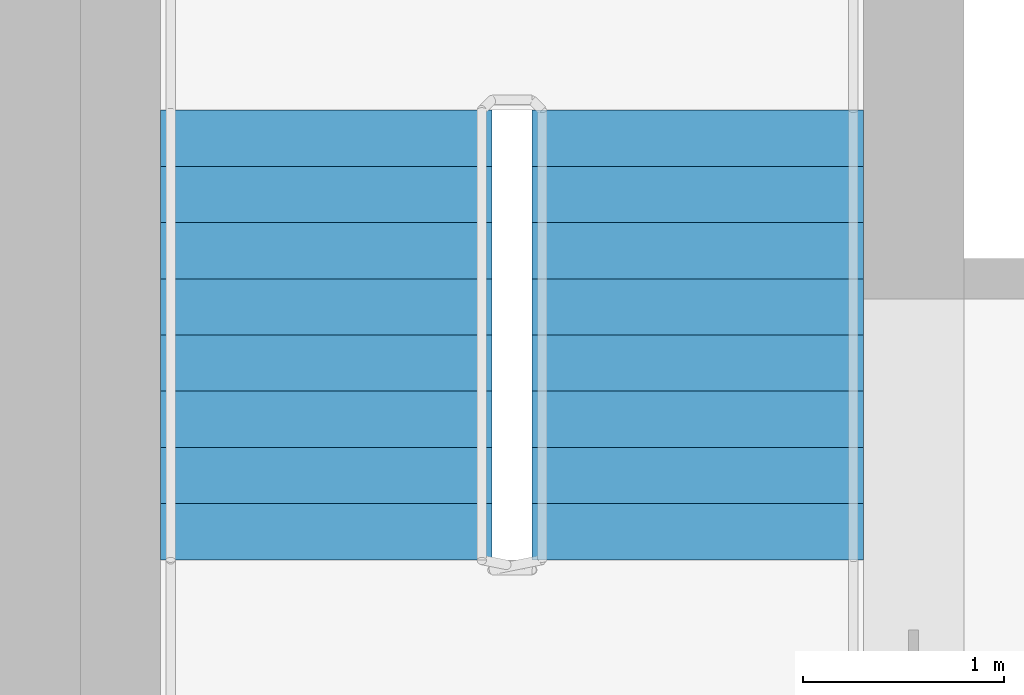
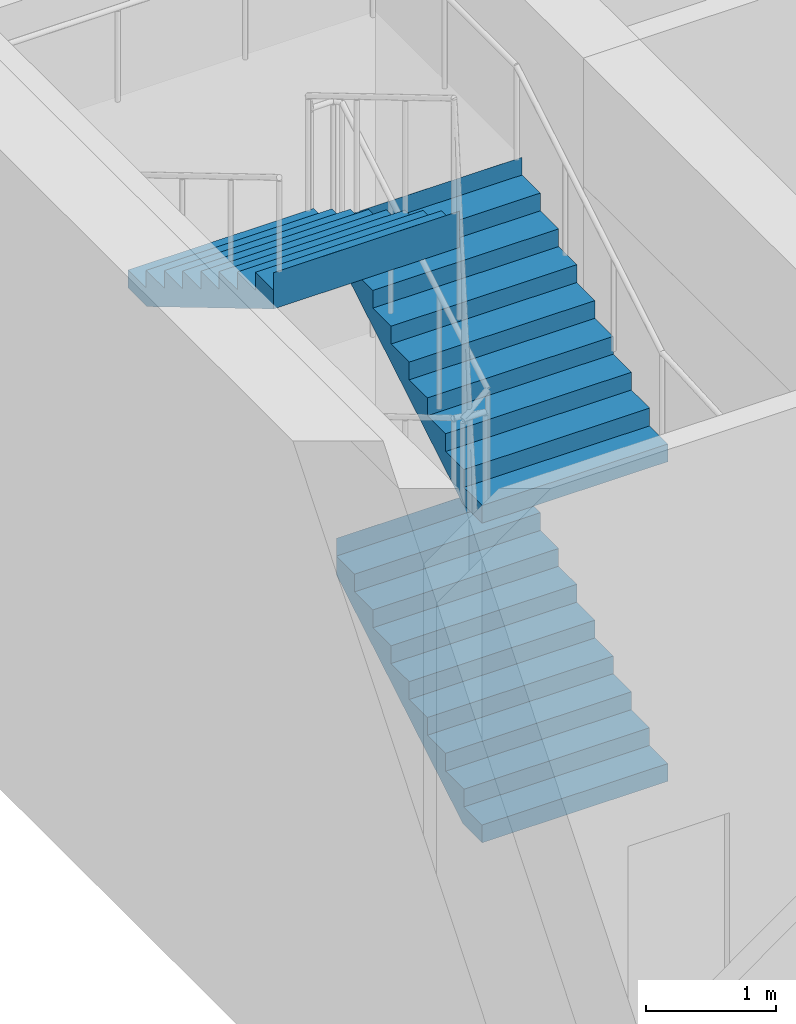
# One storey, part 13 of 15: 3 stair flights, 1 element without a shape of its own.
"""IFC4 building model written with IfcOpenShell, lengths in metres."""

from ifc_helpers import new_model, si_unit, direction, frame, origin, place, context, subcontext, project, spatial, polyline, outline, extrude, material, type_object, element, aggregate, save


model = new_model("IFC4")

# Units and contexts
model_context = context("Model", 3, precision=1e-05, world=origin(), true_north=direction((0.0, 1.0)))
body_context = subcontext(model_context, "Body", "Model", "MODEL_VIEW")
ifc_project = project(units=[si_unit("LENGTHUNIT", "METRE"), si_unit("AREAUNIT", "SQUARE_METRE"), si_unit("VOLUMEUNIT", "CUBIC_METRE"), si_unit("PLANEANGLEUNIT", "RADIAN"), si_unit("MASSUNIT", "GRAM", prefix="KILO")], contexts=[model_context])

# Site, building, storey
site_placement = place(None, origin())
site = spatial("IfcSite", under=ifc_project, at=site_placement, CompositionType="ELEMENT")
building_placement = place(site_placement, origin())
building = spatial("IfcBuilding", under=site, at=building_placement, Name="Tamorin Gate", CompositionType="ELEMENT")
storey_placement = place(building_placement, frame((0.0, 0.0, 302.699951171875)))
storey = spatial("IfcBuildingStorey", under=building, at=storey_placement, Name="L75", CompositionType="ELEMENT", Elevation=302.699951171875)

# Stair, stair flights
ifc_material = material(Name="Concrete C40/50", Category="concrete")
stair_type = type_object("IfcStairType", Name="Exit stair", PredefinedType="HALF_TURN_STAIR", material=ifc_material)
stair_placement = place(storey_placement, origin())
stair = element("IfcStair", 1, at=stair_placement, inside=storey, type_object=stair_type, Name="L75 stair ST2", PredefinedType="HALF_TURN_STAIR")
stair_flight_type = type_object("IfcStairFlightType", Name="Exit stair flight", PredefinedType="STRAIGHT", material=ifc_material)
stair_flight_1_placement = place(storey_placement, frame((33.675048828125, 77.0, 0.0), z_axis=(0.0, 0.0, 1.0), x_axis=(0.0, 1.0, 0.0)))
stair_flight_1 = element("IfcStairFlight", 2, at=stair_flight_1_placement, type_object=stair_flight_type, Name="ST2 flight 1", NumberOfRisers=9, NumberOfTreads=8, PredefinedType="STRAIGHT", RiserHeight=0.166666667, TreadLength=0.28, context=body_context, shape_type="SweptSolid", body=[
    extrude(outline(polyline([(-0.00048828125, 0.0), (-0.00048828125, 0.001708984375), (-0.00048828125, 0.00341796875), (-0.00048828125, 0.0048828125), (-0.00048828125, 0.006591796875), (-0.00048828125, 0.00830078125), (-0.00048828125, 0.010009765625), (-0.00048828125, 0.011474609375), (-0.00048828125, 0.01318359375), (-0.00048828125, 0.014892578125), (-0.00048828125, 0.0166015625), (-0.00048828125, 0.01806640625), (-0.00048828125, 0.019775390625), (-0.00048828125, 0.021484375), (-0.00048828125, 0.023193359375), (-0.00048828125, 0.024658203125), (-0.00048828125, 0.0263671875), (-0.00048828125, 0.028076171875), (-0.00048828125, 0.02978515625), (-0.00048828125, 0.03125), (-0.00048828125, 0.032958984375), (-0.00048828125, 0.03466796875), (-0.00048828125, 0.036376953125), (-0.00048828125, 0.037841796875), (-0.00048828125, 0.03955078125), (-0.00048828125, 0.041259765625), (-0.00048828125, 0.04296875), (-0.00048828125, 0.04443359375), (-0.00048828125, 0.046142578125), (-0.00048828125, 0.0478515625), (-0.00048828125, 0.049560546875), (-0.00048828125, 0.05126953125), (-0.00048828125, 0.052734375), (-0.00048828125, 0.054443359375), (-0.00048828125, 0.05615234375), (-0.00048828125, 0.057861328125), (-0.00048828125, 0.059326171875), (-0.00048828125, 0.06103515625), (-0.00048828125, 0.062744140625), (-0.00048828125, 0.064453125), (-0.00048828125, 0.06591796875), (-0.00048828125, 0.067626953125), (-0.00048828125, 0.0693359375), (-0.00048828125, 0.071044921875), (-0.00048828125, 0.072509765625), (-0.00048828125, 0.07421875), (-0.00048828125, 0.075927734375), (-0.00048828125, 0.07763671875), (-0.00048828125, 0.0791015625), (-0.00048828125, 0.080810546875), (-0.00048828125, 0.08251953125), (-0.00048828125, 0.084228515625), (-0.00048828125, 0.085693359375), (-0.00048828125, 0.08740234375), (-0.00048828125, 0.089111328125), (-0.00048828125, 0.0908203125), (-0.00048828125, 0.092529296875), (-0.00048828125, 0.093994140625), (-0.00048828125, 0.095703125), (-0.00048828125, 0.097412109375), (-0.00048828125, 0.09912109375), (-0.00048828125, 0.1005859375), (-0.00048828125, 0.102294921875), (-0.00048828125, 0.10400390625), (-0.00048828125, 0.105712890625), (-0.00048828125, 0.107177734375), (-0.00048828125, 0.10888671875), (-0.00048828125, 0.110595703125), (-0.00048828125, 0.1123046875), (-0.00048828125, 0.11376953125), (-0.00048828125, 0.115478515625), (-0.00048828125, 0.1171875), (-0.00048828125, 0.118896484375), (-0.00048828125, 0.120361328125), (-0.00048828125, 0.1220703125), (-0.00048828125, 0.123779296875), (-0.00048828125, 0.12548828125), (-0.00048828125, 0.126953125), (-0.00048828125, 0.128662109375), (-0.00048828125, 0.13037109375), (-0.00048828125, 0.132080078125), (-0.00048828125, 0.133544921875), (-0.00048828125, 0.13525390625), (-0.00048828125, 0.136962890625), (-0.00048828125, 0.138671875), (-0.00048828125, 0.140380859375), (-0.00048828125, 0.141845703125), (-0.00048828125, 0.1435546875), (-0.00048828125, 0.145263671875), (-0.00048828125, 0.14697265625), (-0.00048828125, 0.1484375), (-0.00048828125, 0.150146484375), (-0.00048828125, 0.15185546875), (-0.00048828125, 0.153564453125), (-0.00048828125, 0.155029296875), (-0.00048828125, 0.15673828125), (-0.00048828125, 0.158447265625), (-0.00048828125, 0.16015625), (-0.00048828125, 0.16162109375), (-0.00048828125, 0.163330078125), (-0.00048828125, 0.1650390625), (-0.00048828125, 0.166748046875), (0.280029296875, 0.166748046875), (0.280029296875, 0.333251953125), (0.56005859375, 0.333251953125), (0.56005859375, 0.5), (0.840087890625, 0.5), (0.840087890625, 0.666748046875), (1.1201171875, 0.666748046875), (1.1201171875, 0.833251953125), (1.39990234375, 0.833251953125), (1.39990234375, 1.0), (1.679931640625, 1.0), (1.679931640625, 1.166748046875), (1.9599609375, 1.166748046875), (1.9599609375, 1.333251953125), (2.239990234375, 1.333251953125), (2.239990234375, 1.5), (2.240478515625, 1.5), (2.240478515625, 1.49658203125), (2.240478515625, 1.4931640625), (2.240478515625, 1.48974609375), (2.240478515625, 1.486572265625), (2.240478515625, 1.483154296875), (2.240478515625, 1.479736328125), (2.240478515625, 1.476318359375), (2.240478515625, 1.472900390625), (2.240478515625, 1.469482421875), (2.240478515625, 1.46630859375), (2.240478515625, 1.462890625), (2.240478515625, 1.45947265625), (2.240478515625, 1.4560546875), (2.240478515625, 1.45263671875), (2.240478515625, 1.44921875), (2.240478515625, 1.446044921875), (2.240478515625, 1.442626953125), (2.240478515625, 1.439208984375), (2.240478515625, 1.435791015625), (2.240478515625, 1.432373046875), (2.240478515625, 1.428955078125), (2.240478515625, 1.42578125), (2.240478515625, 1.42236328125), (2.240478515625, 1.4189453125), (2.240478515625, 1.41552734375), (2.240478515625, 1.412109375), (2.240478515625, 1.40869140625), (2.240478515625, 1.405517578125), (2.240478515625, 1.402099609375), (2.240478515625, 1.398681640625), (2.240478515625, 1.395263671875), (2.240478515625, 1.391845703125), (2.240478515625, 1.388427734375), (2.240478515625, 1.38525390625), (2.240478515625, 1.3818359375), (2.240478515625, 1.37841796875), (2.240478515625, 1.375), (2.240478515625, 1.37158203125), (2.240478515625, 1.3681640625), (2.240478515625, 1.364990234375), (2.240478515625, 1.361572265625), (2.240478515625, 1.358154296875), (2.240478515625, 1.354736328125), (2.240478515625, 1.351318359375), (2.240478515625, 1.347900390625), (2.240478515625, 1.3447265625), (2.240478515625, 1.34130859375), (2.240478515625, 1.337890625), (2.240478515625, 1.33447265625), (2.240478515625, 1.3310546875), (2.240478515625, 1.32763671875), (2.240478515625, 1.324462890625), (2.240478515625, 1.321044921875), (2.240478515625, 1.317626953125), (2.240478515625, 1.314208984375), (2.240478515625, 1.310791015625), (2.240478515625, 1.307373046875), (2.240478515625, 1.30419921875), (2.240478515625, 1.30078125), (2.240478515625, 1.29736328125), (2.240478515625, 1.2939453125), (2.240478515625, 1.29052734375), (2.240478515625, 1.287109375), (2.240478515625, 1.283935546875), (2.240478515625, 1.280517578125), (2.240478515625, 1.277099609375), (2.240478515625, 1.273681640625), (2.240478515625, 1.270263671875), (2.240478515625, 1.266845703125), (2.240478515625, 1.263671875), (2.240478515625, 1.26025390625), (2.240478515625, 1.2568359375), (2.240478515625, 1.25341796875), (2.240478515625, 1.25), (2.240478515625, 1.24658203125), (2.240478515625, 1.243408203125), (2.240478515625, 1.239990234375), (2.240478515625, 1.236572265625), (2.240478515625, 1.233154296875), (2.240478515625, 1.229736328125), (2.240478515625, 1.226318359375), (2.240478515625, 1.22314453125), (2.240478515625, 1.2197265625), (2.240478515625, 1.21630859375), (2.240478515625, 1.212890625), (2.240478515625, 1.20947265625), (2.240478515625, 1.2060546875), (2.240478515625, 1.202880859375), (2.240478515625, 1.199462890625), (2.240478515625, 1.196044921875), (2.240478515625, 1.192626953125), (2.240478515625, 1.189208984375), (2.240478515625, 1.185791015625), (2.240478515625, 1.1826171875), (2.240478515625, 1.17919921875), (2.240478515625, 1.17578125), (2.240478515625, 1.17236328125), (2.240478515625, 1.1689453125), (2.240478515625, 1.16552734375), (2.240478515625, 1.162353515625), (2.240478515625, 1.158935546875), (2.239990234375, 1.158935546875), (0.29296875, 0.0), (-0.00048828125, 0.0)])), frame((0.0, 0.824951171875, 0.0), z_axis=(0.0, -1.0, 0.0), x_axis=(1.0, 0.0, 0.0)), (0.0, 0.0, 1.0), 1.64990234375),
])
stair_flight_2_placement = place(storey_placement, frame((33.675048828125, 77.0, 3.0), z_axis=(0.0, 0.0, 1.0), x_axis=(0.0, 1.0, 0.0)))
stair_flight_2 = element("IfcStairFlight", 3, at=stair_flight_2_placement, type_object=stair_flight_type, Name="ST2 flight 3", NumberOfRisers=9, NumberOfTreads=8, PredefinedType="STRAIGHT", RiserHeight=0.166666667, TreadLength=0.28, context=body_context, shape_type="SweptSolid", body=[
    extrude(outline(polyline([(-0.00048828125, 0.0), (-0.00048828125, 0.001708984375), (-0.00048828125, 0.00341796875), (-0.00048828125, 0.0048828125), (-0.00048828125, 0.006591796875), (-0.00048828125, 0.00830078125), (-0.00048828125, 0.010009765625), (-0.00048828125, 0.011474609375), (-0.00048828125, 0.01318359375), (-0.00048828125, 0.014892578125), (-0.00048828125, 0.0166015625), (-0.00048828125, 0.01806640625), (-0.00048828125, 0.019775390625), (-0.00048828125, 0.021484375), (-0.00048828125, 0.023193359375), (-0.00048828125, 0.024658203125), (-0.00048828125, 0.0263671875), (-0.00048828125, 0.028076171875), (-0.00048828125, 0.02978515625), (-0.00048828125, 0.03125), (-0.00048828125, 0.032958984375), (-0.00048828125, 0.03466796875), (-0.00048828125, 0.036376953125), (-0.00048828125, 0.037841796875), (-0.00048828125, 0.03955078125), (-0.00048828125, 0.041259765625), (-0.00048828125, 0.04296875), (-0.00048828125, 0.04443359375), (-0.00048828125, 0.046142578125), (-0.00048828125, 0.0478515625), (-0.00048828125, 0.049560546875), (-0.00048828125, 0.05126953125), (-0.00048828125, 0.052734375), (-0.00048828125, 0.054443359375), (-0.00048828125, 0.05615234375), (-0.00048828125, 0.057861328125), (-0.00048828125, 0.059326171875), (-0.00048828125, 0.06103515625), (-0.00048828125, 0.062744140625), (-0.00048828125, 0.064453125), (-0.00048828125, 0.06591796875), (-0.00048828125, 0.067626953125), (-0.00048828125, 0.0693359375), (-0.00048828125, 0.071044921875), (-0.00048828125, 0.072509765625), (-0.00048828125, 0.07421875), (-0.00048828125, 0.075927734375), (-0.00048828125, 0.07763671875), (-0.00048828125, 0.0791015625), (-0.00048828125, 0.080810546875), (-0.00048828125, 0.08251953125), (-0.00048828125, 0.084228515625), (-0.00048828125, 0.085693359375), (-0.00048828125, 0.08740234375), (-0.00048828125, 0.089111328125), (-0.00048828125, 0.0908203125), (-0.00048828125, 0.092529296875), (-0.00048828125, 0.093994140625), (-0.00048828125, 0.095703125), (-0.00048828125, 0.097412109375), (-0.00048828125, 0.09912109375), (-0.00048828125, 0.1005859375), (-0.00048828125, 0.102294921875), (-0.00048828125, 0.10400390625), (-0.00048828125, 0.105712890625), (-0.00048828125, 0.107177734375), (-0.00048828125, 0.10888671875), (-0.00048828125, 0.110595703125), (-0.00048828125, 0.1123046875), (-0.00048828125, 0.11376953125), (-0.00048828125, 0.115478515625), (-0.00048828125, 0.1171875), (-0.00048828125, 0.118896484375), (-0.00048828125, 0.120361328125), (-0.00048828125, 0.1220703125), (-0.00048828125, 0.123779296875), (-0.00048828125, 0.12548828125), (-0.00048828125, 0.126953125), (-0.00048828125, 0.128662109375), (-0.00048828125, 0.13037109375), (-0.00048828125, 0.132080078125), (-0.00048828125, 0.133544921875), (-0.00048828125, 0.13525390625), (-0.00048828125, 0.136962890625), (-0.00048828125, 0.138671875), (-0.00048828125, 0.140380859375), (-0.00048828125, 0.141845703125), (-0.00048828125, 0.1435546875), (-0.00048828125, 0.145263671875), (-0.00048828125, 0.14697265625), (-0.00048828125, 0.1484375), (-0.00048828125, 0.150146484375), (-0.00048828125, 0.15185546875), (-0.00048828125, 0.153564453125), (-0.00048828125, 0.155029296875), (-0.00048828125, 0.15673828125), (-0.00048828125, 0.158447265625), (-0.00048828125, 0.16015625), (-0.00048828125, 0.16162109375), (-0.00048828125, 0.163330078125), (-0.00048828125, 0.1650390625), (-0.00048828125, 0.166748046875), (0.280029296875, 0.166748046875), (0.280029296875, 0.333251953125), (0.56005859375, 0.333251953125), (0.56005859375, 0.5), (0.840087890625, 0.5), (0.840087890625, 0.666748046875), (1.1201171875, 0.666748046875), (1.1201171875, 0.833251953125), (1.39990234375, 0.833251953125), (1.39990234375, 1.0), (1.679931640625, 1.0), (1.679931640625, 1.166748046875), (1.9599609375, 1.166748046875), (1.9599609375, 1.333251953125), (2.239990234375, 1.333251953125), (2.239990234375, 1.5), (2.240478515625, 1.5), (2.240478515625, 1.49658203125), (2.240478515625, 1.4931640625), (2.240478515625, 1.48974609375), (2.240478515625, 1.486572265625), (2.240478515625, 1.483154296875), (2.240478515625, 1.479736328125), (2.240478515625, 1.476318359375), (2.240478515625, 1.472900390625), (2.240478515625, 1.469482421875), (2.240478515625, 1.46630859375), (2.240478515625, 1.462890625), (2.240478515625, 1.45947265625), (2.240478515625, 1.4560546875), (2.240478515625, 1.45263671875), (2.240478515625, 1.44921875), (2.240478515625, 1.446044921875), (2.240478515625, 1.442626953125), (2.240478515625, 1.439208984375), (2.240478515625, 1.435791015625), (2.240478515625, 1.432373046875), (2.240478515625, 1.428955078125), (2.240478515625, 1.42578125), (2.240478515625, 1.42236328125), (2.240478515625, 1.4189453125), (2.240478515625, 1.41552734375), (2.240478515625, 1.412109375), (2.240478515625, 1.40869140625), (2.240478515625, 1.405517578125), (2.240478515625, 1.402099609375), (2.240478515625, 1.398681640625), (2.240478515625, 1.395263671875), (2.240478515625, 1.391845703125), (2.240478515625, 1.388427734375), (2.240478515625, 1.38525390625), (2.240478515625, 1.3818359375), (2.240478515625, 1.37841796875), (2.240478515625, 1.375), (2.240478515625, 1.37158203125), (2.240478515625, 1.3681640625), (2.240478515625, 1.364990234375), (2.240478515625, 1.361572265625), (2.240478515625, 1.358154296875), (2.240478515625, 1.354736328125), (2.240478515625, 1.351318359375), (2.240478515625, 1.347900390625), (2.240478515625, 1.3447265625), (2.240478515625, 1.34130859375), (2.240478515625, 1.337890625), (2.240478515625, 1.33447265625), (2.240478515625, 1.3310546875), (2.240478515625, 1.32763671875), (2.240478515625, 1.324462890625), (2.240478515625, 1.321044921875), (2.240478515625, 1.317626953125), (2.240478515625, 1.314208984375), (2.240478515625, 1.310791015625), (2.240478515625, 1.307373046875), (2.240478515625, 1.30419921875), (2.240478515625, 1.30078125), (2.240478515625, 1.29736328125), (2.240478515625, 1.2939453125), (2.240478515625, 1.29052734375), (2.240478515625, 1.287109375), (2.240478515625, 1.283935546875), (2.240478515625, 1.280517578125), (2.240478515625, 1.277099609375), (2.240478515625, 1.273681640625), (2.240478515625, 1.270263671875), (2.240478515625, 1.266845703125), (2.240478515625, 1.263671875), (2.240478515625, 1.26025390625), (2.240478515625, 1.2568359375), (2.240478515625, 1.25341796875), (2.240478515625, 1.25), (2.240478515625, 1.24658203125), (2.240478515625, 1.243408203125), (2.240478515625, 1.239990234375), (2.240478515625, 1.236572265625), (2.240478515625, 1.233154296875), (2.240478515625, 1.229736328125), (2.240478515625, 1.226318359375), (2.240478515625, 1.22314453125), (2.240478515625, 1.2197265625), (2.240478515625, 1.21630859375), (2.240478515625, 1.212890625), (2.240478515625, 1.20947265625), (2.240478515625, 1.2060546875), (2.240478515625, 1.202880859375), (2.240478515625, 1.199462890625), (2.240478515625, 1.196044921875), (2.240478515625, 1.192626953125), (2.240478515625, 1.189208984375), (2.240478515625, 1.185791015625), (2.240478515625, 1.1826171875), (2.240478515625, 1.17919921875), (2.240478515625, 1.17578125), (2.240478515625, 1.17236328125), (2.240478515625, 1.1689453125), (2.240478515625, 1.16552734375), (2.240478515625, 1.162353515625), (2.240478515625, 1.158935546875), (2.239990234375, 1.158935546875), (0.29296875, 0.0), (-0.00048828125, 0.0)])), frame((0.0, 0.824951171875, 0.0), z_axis=(0.0, -1.0, 0.0), x_axis=(1.0, 0.0, 0.0)), (0.0, 0.0, 1.0), 1.64990234375),
])
stair_flight_3_placement = place(storey_placement, frame((31.824951171875, 79.239990234375, 4.5), z_axis=(0.0, 0.0, 1.0), x_axis=(0.0, -1.0, 0.0)))
stair_flight_3 = element("IfcStairFlight", 4, at=stair_flight_3_placement, type_object=stair_flight_type, Name="ST2 flight 4", NumberOfRisers=9, NumberOfTreads=8, PredefinedType="STRAIGHT", RiserHeight=0.166666667, TreadLength=0.28, context=body_context, shape_type="SweptSolid", body=[
    extrude(outline(polyline([(-0.00048828125, 0.0), (-0.00048828125, 0.001708984375), (-0.00048828125, 0.00341796875), (-0.00048828125, 0.0048828125), (-0.00048828125, 0.006591796875), (-0.00048828125, 0.00830078125), (-0.00048828125, 0.010009765625), (-0.00048828125, 0.011474609375), (-0.00048828125, 0.01318359375), (-0.00048828125, 0.014892578125), (-0.00048828125, 0.0166015625), (-0.00048828125, 0.01806640625), (-0.00048828125, 0.019775390625), (-0.00048828125, 0.021484375), (-0.00048828125, 0.023193359375), (-0.00048828125, 0.024658203125), (-0.00048828125, 0.0263671875), (-0.00048828125, 0.028076171875), (-0.00048828125, 0.02978515625), (-0.00048828125, 0.03125), (-0.00048828125, 0.032958984375), (-0.00048828125, 0.03466796875), (-0.00048828125, 0.036376953125), (-0.00048828125, 0.037841796875), (-0.00048828125, 0.03955078125), (-0.00048828125, 0.041259765625), (-0.00048828125, 0.04296875), (-0.00048828125, 0.04443359375), (-0.00048828125, 0.046142578125), (-0.00048828125, 0.0478515625), (-0.00048828125, 0.049560546875), (-0.00048828125, 0.05126953125), (-0.00048828125, 0.052734375), (-0.00048828125, 0.054443359375), (-0.00048828125, 0.05615234375), (-0.00048828125, 0.057861328125), (-0.00048828125, 0.059326171875), (-0.00048828125, 0.06103515625), (-0.00048828125, 0.062744140625), (-0.00048828125, 0.064453125), (-0.00048828125, 0.06591796875), (-0.00048828125, 0.067626953125), (-0.00048828125, 0.0693359375), (-0.00048828125, 0.071044921875), (-0.00048828125, 0.072509765625), (-0.00048828125, 0.07421875), (-0.00048828125, 0.075927734375), (-0.00048828125, 0.07763671875), (-0.00048828125, 0.0791015625), (-0.00048828125, 0.080810546875), (-0.00048828125, 0.08251953125), (-0.00048828125, 0.084228515625), (-0.00048828125, 0.085693359375), (-0.00048828125, 0.08740234375), (-0.00048828125, 0.089111328125), (-0.00048828125, 0.0908203125), (-0.00048828125, 0.092529296875), (-0.00048828125, 0.093994140625), (-0.00048828125, 0.095703125), (-0.00048828125, 0.097412109375), (-0.00048828125, 0.09912109375), (-0.00048828125, 0.1005859375), (-0.00048828125, 0.102294921875), (-0.00048828125, 0.10400390625), (-0.00048828125, 0.105712890625), (-0.00048828125, 0.107177734375), (-0.00048828125, 0.10888671875), (-0.00048828125, 0.110595703125), (-0.00048828125, 0.1123046875), (-0.00048828125, 0.11376953125), (-0.00048828125, 0.115478515625), (-0.00048828125, 0.1171875), (-0.00048828125, 0.118896484375), (-0.00048828125, 0.120361328125), (-0.00048828125, 0.1220703125), (-0.00048828125, 0.123779296875), (-0.00048828125, 0.12548828125), (-0.00048828125, 0.126953125), (-0.00048828125, 0.128662109375), (-0.00048828125, 0.13037109375), (-0.00048828125, 0.132080078125), (-0.00048828125, 0.133544921875), (-0.00048828125, 0.13525390625), (-0.00048828125, 0.136962890625), (-0.00048828125, 0.138671875), (-0.00048828125, 0.140380859375), (-0.00048828125, 0.141845703125), (-0.00048828125, 0.1435546875), (-0.00048828125, 0.145263671875), (-0.00048828125, 0.14697265625), (-0.00048828125, 0.1484375), (-0.00048828125, 0.150146484375), (-0.00048828125, 0.15185546875), (-0.00048828125, 0.153564453125), (-0.00048828125, 0.155029296875), (-0.00048828125, 0.15673828125), (-0.00048828125, 0.158447265625), (-0.00048828125, 0.16015625), (-0.00048828125, 0.16162109375), (-0.00048828125, 0.163330078125), (-0.00048828125, 0.1650390625), (-0.00048828125, 0.166748046875), (0.280029296875, 0.166748046875), (0.280029296875, 0.333251953125), (0.56005859375, 0.333251953125), (0.56005859375, 0.5), (0.840087890625, 0.5), (0.840087890625, 0.666748046875), (1.1201171875, 0.666748046875), (1.1201171875, 0.833251953125), (1.39990234375, 0.833251953125), (1.39990234375, 1.0), (1.679931640625, 1.0), (1.679931640625, 1.166748046875), (1.9599609375, 1.166748046875), (1.9599609375, 1.333251953125), (2.239990234375, 1.333251953125), (2.239990234375, 1.5), (2.240478515625, 1.5), (2.240478515625, 1.49658203125), (2.240478515625, 1.4931640625), (2.240478515625, 1.48974609375), (2.240478515625, 1.486572265625), (2.240478515625, 1.483154296875), (2.240478515625, 1.479736328125), (2.240478515625, 1.476318359375), (2.240478515625, 1.472900390625), (2.240478515625, 1.469482421875), (2.240478515625, 1.46630859375), (2.240478515625, 1.462890625), (2.240478515625, 1.45947265625), (2.240478515625, 1.4560546875), (2.240478515625, 1.45263671875), (2.240478515625, 1.44921875), (2.240478515625, 1.446044921875), (2.240478515625, 1.442626953125), (2.240478515625, 1.439208984375), (2.240478515625, 1.435791015625), (2.240478515625, 1.432373046875), (2.240478515625, 1.428955078125), (2.240478515625, 1.42578125), (2.240478515625, 1.42236328125), (2.240478515625, 1.4189453125), (2.240478515625, 1.41552734375), (2.240478515625, 1.412109375), (2.240478515625, 1.40869140625), (2.240478515625, 1.405517578125), (2.240478515625, 1.402099609375), (2.240478515625, 1.398681640625), (2.240478515625, 1.395263671875), (2.240478515625, 1.391845703125), (2.240478515625, 1.388427734375), (2.240478515625, 1.38525390625), (2.240478515625, 1.3818359375), (2.240478515625, 1.37841796875), (2.240478515625, 1.375), (2.240478515625, 1.37158203125), (2.240478515625, 1.3681640625), (2.240478515625, 1.364990234375), (2.240478515625, 1.361572265625), (2.240478515625, 1.358154296875), (2.240478515625, 1.354736328125), (2.240478515625, 1.351318359375), (2.240478515625, 1.347900390625), (2.240478515625, 1.3447265625), (2.240478515625, 1.34130859375), (2.240478515625, 1.337890625), (2.240478515625, 1.33447265625), (2.240478515625, 1.3310546875), (2.240478515625, 1.32763671875), (2.240478515625, 1.324462890625), (2.240478515625, 1.321044921875), (2.240478515625, 1.317626953125), (2.240478515625, 1.314208984375), (2.240478515625, 1.310791015625), (2.240478515625, 1.307373046875), (2.240478515625, 1.30419921875), (2.240478515625, 1.30078125), (2.240478515625, 1.29736328125), (2.240478515625, 1.2939453125), (2.240478515625, 1.29052734375), (2.240478515625, 1.287109375), (2.240478515625, 1.283935546875), (2.240478515625, 1.280517578125), (2.240478515625, 1.277099609375), (2.240478515625, 1.273681640625), (2.240478515625, 1.270263671875), (2.240478515625, 1.266845703125), (2.240478515625, 1.263671875), (2.240478515625, 1.26025390625), (2.240478515625, 1.2568359375), (2.240478515625, 1.25341796875), (2.240478515625, 1.25), (2.240478515625, 1.24658203125), (2.240478515625, 1.243408203125), (2.240478515625, 1.239990234375), (2.240478515625, 1.236572265625), (2.240478515625, 1.233154296875), (2.240478515625, 1.229736328125), (2.240478515625, 1.226318359375), (2.240478515625, 1.22314453125), (2.240478515625, 1.2197265625), (2.240478515625, 1.21630859375), (2.240478515625, 1.212890625), (2.240478515625, 1.20947265625), (2.240478515625, 1.2060546875), (2.240478515625, 1.202880859375), (2.240478515625, 1.199462890625), (2.240478515625, 1.196044921875), (2.240478515625, 1.192626953125), (2.240478515625, 1.189208984375), (2.240478515625, 1.185791015625), (2.240478515625, 1.1826171875), (2.240478515625, 1.17919921875), (2.240478515625, 1.17578125), (2.240478515625, 1.17236328125), (2.240478515625, 1.1689453125), (2.240478515625, 1.16552734375), (2.240478515625, 1.162353515625), (2.240478515625, 1.158935546875), (2.239990234375, 1.158935546875), (0.29296875, 0.0), (-0.00048828125, 0.0)])), frame((0.0, 0.824951171875, 0.0), z_axis=(0.0, -1.0, 0.0), x_axis=(1.0, 0.0, 0.0)), (0.0, 0.0, 1.0), 1.64990234375),
])
aggregate(stair, [stair_flight_1, stair_flight_2, stair_flight_3])

save(model, "model.ifc")
